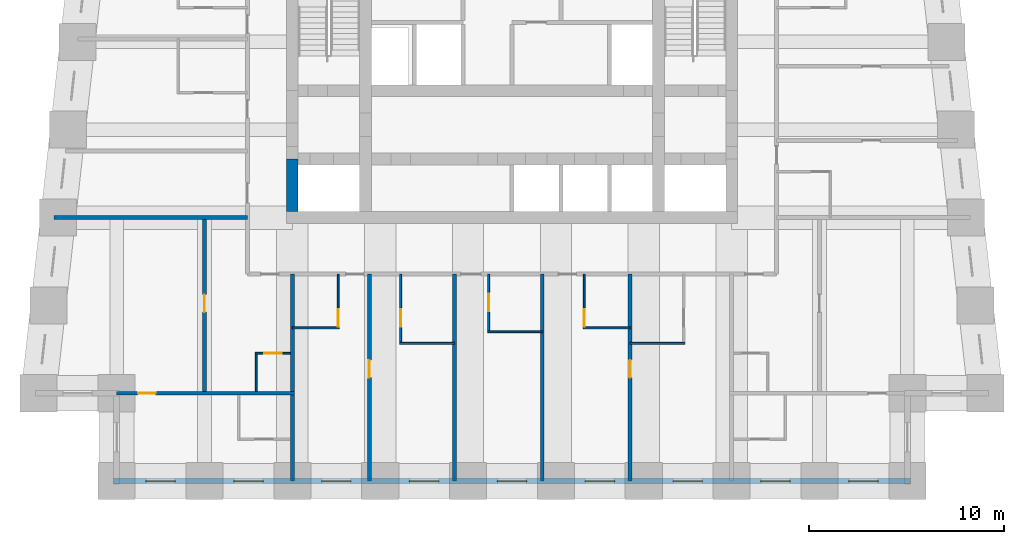
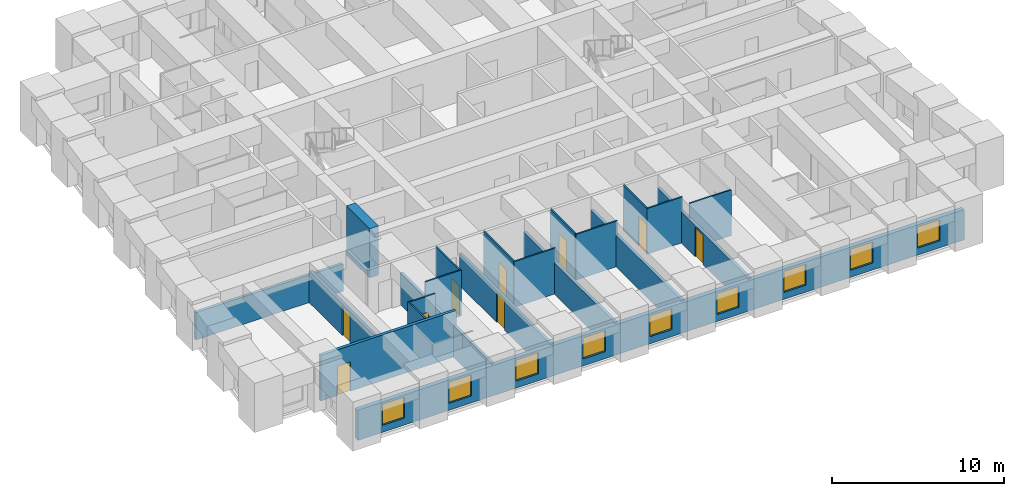
# One storey, part 2 of 8: 21 walls, 9 doors, 9 windows, 18 openings.
"""IFC4 building model written with IfcOpenShell, lengths in metres."""

from ifc_helpers import new_model, si_unit, direction, frame, frame_2d, origin, place, context, subcontext, project, spatial, rectangle, extrude, material, layer, layer_set, type_object, element, fill, save


model = new_model("IFC4")

# Units and contexts
model_context = context("Model", 3, precision=1e-05, world=origin(), true_north=direction((0.0, 1.0)))
body_context = subcontext(model_context, "Body", "Model", "MODEL_VIEW")
ifc_project = project(units=[si_unit("LENGTHUNIT", "METRE"), si_unit("AREAUNIT", "SQUARE_METRE"), si_unit("VOLUMEUNIT", "CUBIC_METRE"), si_unit("PLANEANGLEUNIT", "RADIAN"), si_unit("MASSUNIT", "GRAM", prefix="KILO")], contexts=[model_context])

# Site, building, storey
site_placement = place(None, origin())
site = spatial("IfcSite", under=ifc_project, at=site_placement, CompositionType="ELEMENT")
building_placement = place(site_placement, origin())
building = spatial("IfcBuilding", under=site, at=building_placement, Name="Kilele Tower Hotel", CompositionType="ELEMENT")
storey_placement = place(building_placement, frame((0.0, 0.0, 131.89990234375)))
storey = spatial("IfcBuildingStorey", under=building, at=storey_placement, Name="L34", CompositionType="ELEMENT", Elevation=131.89990234375)

# Wall
ifc_material_1 = material(Name="Moisture-resistant board")
ifc_layer_1 = layer(ifc_material_1, 0.10009765625)
ifc_layer_set_1 = layer_set([ifc_layer_1], Name="Moisture-resistant board")
wall_type_1 = type_object("IfcWallType", Name="Bathroom partition 100", PredefinedType="PLUMBINGWALL", material=ifc_layer_set_1)
wall_1_placement = place(storey_placement, frame((13.5, 7.85009765625, 0.0), z_axis=(0.0, 0.0, 1.0), x_axis=(1.0, 0.0, 0.0)))
element("IfcWall", 1, at=wall_1_placement, inside=storey, type_object=wall_type_1, Name="Bathroom partition 100 L34", PredefinedType="PLUMBINGWALL", context=body_context, shape_type="SweptSolid", body=[
    extrude(rectangle(XDim=2.39990234375, YDim=0.10009765625, at=frame_2d((1.199951171875, 0.0))), origin(), (0.0, 0.0, 1.0), 3.25),
])

# Wall, opening, door
wall_2_placement = place(storey_placement, frame((15.85009765625, 10.60009765625, 0.0), z_axis=(0.0, 0.0, 1.0), x_axis=(0.0, -1.0, 0.0)))
wall_2 = element("IfcWall", 2, at=wall_2_placement, inside=storey, type_object=wall_type_1, Name="Bathroom partition 100 L34", PredefinedType="PLUMBINGWALL", context=body_context, shape_type="SweptSolid", body=[
    extrude(rectangle(XDim=2.800048828125, YDim=0.10009765625, at=frame_2d((1.39990234375, 0.0))), origin(), (0.0, 0.0, 1.0), 3.25),
])
opening_1_placement = place(wall_2_placement, frame((1.800048828125, 0.0, 0.0)))
opening_1 = element("IfcOpeningElement", 3, at=opening_1_placement, cuts=wall_2, Name="Opening D2A", PredefinedType="OPENING", context=body_context, shape_type="SweptSolid", body=[
    extrude(rectangle(XDim=0.89990234375, YDim=2.10009765625, at=frame_2d((0.449951171875, 1.050048828125))), frame((0.0, 0.06005859375, 0.0), z_axis=(0.0, -1.0, 0.0), x_axis=(1.0, 0.0, 0.0)), (0.0, 0.0, 1.0), 0.1201171875),
])
ifc_material_2 = material(Name="Timber door leaf in hardwood frame", Category="wood")
door_type_1 = type_object("IfcDoorType", Name="Bathroom door 900", OperationType="SINGLE_SWING_LEFT", PredefinedType="DOOR", material=ifc_material_2)
door_1_placement = place(opening_1_placement, origin())
door_1 = element("IfcDoor", 4, at=door_1_placement, inside=storey, type_object=door_type_1, Name="Bathroom door 3401B", OperationType="SINGLE_SWING_RIGHT", OverallHeight=2.10009765625, OverallWidth=0.89990234375, PredefinedType="DOOR", context=body_context, shape_type="SweptSolid", body=[
    extrude(rectangle(XDim=0.89990234375, YDim=2.10009765625, at=frame_2d((0.449951171875, 1.050048828125))), frame((0.0, 0.02490234375, 0.0), z_axis=(0.0, -1.0, 0.0), x_axis=(1.0, 0.0, 0.0)), (0.0, 0.0, 1.0), 0.050048828125),
])
fill(opening_1, door_1)

# Wall
wall_3_placement = place(storey_placement, frame((19.0, 7.050048828125, 0.0), z_axis=(0.0, 0.0, 1.0), x_axis=(1.0, 0.0, 0.0)))
element("IfcWall", 5, at=wall_3_placement, inside=storey, type_object=wall_type_1, Name="Bathroom partition 100 L34", PredefinedType="PLUMBINGWALL", context=body_context, shape_type="SweptSolid", body=[
    extrude(rectangle(XDim=2.800048828125, YDim=0.10009765625, at=frame_2d((1.39990234375, 0.0))), origin(), (0.0, 0.0, 1.0), 3.25),
])

# Wall, opening, door
wall_4_placement = place(storey_placement, frame((19.050048828125, 10.60009765625, 0.0), z_axis=(0.0, 0.0, 1.0), x_axis=(0.0, -1.0, 0.0)))
wall_4 = element("IfcWall", 6, at=wall_4_placement, inside=storey, type_object=wall_type_1, Name="Bathroom partition 100 L34", PredefinedType="PLUMBINGWALL", context=body_context, shape_type="SweptSolid", body=[
    extrude(rectangle(XDim=3.60009765625, YDim=0.10009765625, at=frame_2d((1.800048828125, 0.0))), origin(), (0.0, 0.0, 1.0), 3.25),
])
opening_2_placement = place(wall_4_placement, frame((2.699951171875, 0.0, 0.0), z_axis=(0.0, 0.0, 1.0), x_axis=(-1.0, 0.0, 0.0)))
opening_2 = element("IfcOpeningElement", 7, at=opening_2_placement, cuts=wall_4, Name="Opening D2A", PredefinedType="OPENING", context=body_context, shape_type="SweptSolid", body=[
    extrude(rectangle(XDim=0.89990234375, YDim=2.10009765625, at=frame_2d((0.449951171875, 1.050048828125))), frame((0.0, 0.06005859375, 0.0), z_axis=(0.0, -1.0, 0.0), x_axis=(1.0, 0.0, 0.0)), (0.0, 0.0, 1.0), 0.1201171875),
])
door_2_placement = place(opening_2_placement, origin())
door_2 = element("IfcDoor", 8, at=door_2_placement, inside=storey, type_object=door_type_1, Name="Bathroom door 3402B", OperationType="SINGLE_SWING_LEFT", OverallHeight=2.10009765625, OverallWidth=0.89990234375, PredefinedType="DOOR", context=body_context, shape_type="SweptSolid", body=[
    extrude(rectangle(XDim=0.89990234375, YDim=2.10009765625, at=frame_2d((0.449951171875, 1.050048828125))), frame((0.0, 0.02490234375, 0.0), z_axis=(0.0, -1.0, 0.0), x_axis=(1.0, 0.0, 0.0)), (0.0, 0.0, 1.0), 0.050048828125),
])
fill(opening_2, door_2)

# Wall
wall_5_placement = place(storey_placement, frame((23.5, 7.64990234375, 0.0), z_axis=(0.0, 0.0, 1.0), x_axis=(1.0, 0.0, 0.0)))
element("IfcWall", 9, at=wall_5_placement, inside=storey, type_object=wall_type_1, Name="Bathroom partition 100 L34", PredefinedType="PLUMBINGWALL", context=body_context, shape_type="SweptSolid", body=[
    extrude(rectangle(XDim=2.800048828125, YDim=0.10009765625, at=frame_2d((1.39990234375, 0.0))), origin(), (0.0, 0.0, 1.0), 3.25),
])

# Wall, opening, door
wall_6_placement = place(storey_placement, frame((23.550048828125, 10.60009765625, 0.0), z_axis=(0.0, 0.0, 1.0), x_axis=(0.0, -1.0, 0.0)))
wall_6 = element("IfcWall", 10, at=wall_6_placement, inside=storey, type_object=wall_type_1, Name="Bathroom partition 100 L34", PredefinedType="PLUMBINGWALL", context=body_context, shape_type="SweptSolid", body=[
    extrude(rectangle(XDim=3.0, YDim=0.10009765625, at=frame_2d((1.5, 0.0))), origin(), (0.0, 0.0, 1.0), 3.25),
])
opening_3_placement = place(wall_6_placement, frame((1.89990234375, 0.0, 0.0), z_axis=(0.0, 0.0, 1.0), x_axis=(-1.0, 0.0, 0.0)))
opening_3 = element("IfcOpeningElement", 11, at=opening_3_placement, cuts=wall_6, Name="Opening D2A", PredefinedType="OPENING", context=body_context, shape_type="SweptSolid", body=[
    extrude(rectangle(XDim=0.89990234375, YDim=2.10009765625, at=frame_2d((0.449951171875, 1.050048828125))), frame((0.0, 0.06005859375, 0.0), z_axis=(0.0, -1.0, 0.0), x_axis=(1.0, 0.0, 0.0)), (0.0, 0.0, 1.0), 0.1201171875),
])
door_3_placement = place(opening_3_placement, origin())
door_3 = element("IfcDoor", 12, at=door_3_placement, inside=storey, type_object=door_type_1, Name="Bathroom door 3403B", OperationType="SINGLE_SWING_RIGHT", OverallHeight=2.10009765625, OverallWidth=0.89990234375, PredefinedType="DOOR", context=body_context, shape_type="SweptSolid", body=[
    extrude(rectangle(XDim=0.89990234375, YDim=2.10009765625, at=frame_2d((0.449951171875, 1.050048828125))), frame((0.0, 0.02490234375, 0.0), z_axis=(0.0, -1.0, 0.0), x_axis=(1.0, 0.0, 0.0)), (0.0, 0.0, 1.0), 0.050048828125),
])
fill(opening_3, door_3)

# Wall
wall_7_placement = place(storey_placement, frame((28.39990234375, 7.85009765625, 0.0), z_axis=(0.0, 0.0, 1.0), x_axis=(1.0, 0.0, 0.0)))
element("IfcWall", 13, at=wall_7_placement, inside=storey, type_object=wall_type_1, Name="Bathroom partition 100 L34", PredefinedType="PLUMBINGWALL", context=body_context, shape_type="SweptSolid", body=[
    extrude(rectangle(XDim=2.400146484375, YDim=0.10009765625, at=frame_2d((1.2001953125, 0.0))), origin(), (0.0, 0.0, 1.0), 3.25),
])

# Wall, opening, door
wall_8_placement = place(storey_placement, frame((28.449951171875, 10.60009765625, 0.0), z_axis=(0.0, 0.0, 1.0), x_axis=(0.0, -1.0, 0.0)))
wall_8 = element("IfcWall", 14, at=wall_8_placement, inside=storey, type_object=wall_type_1, Name="Bathroom partition 100 L34", PredefinedType="PLUMBINGWALL", context=body_context, shape_type="SweptSolid", body=[
    extrude(rectangle(XDim=2.800048828125, YDim=0.10009765625, at=frame_2d((1.39990234375, 0.0))), origin(), (0.0, 0.0, 1.0), 3.25),
])
opening_4_placement = place(wall_8_placement, frame((2.699951171875, 0.0, 0.0), z_axis=(0.0, 0.0, 1.0), x_axis=(-1.0, 0.0, 0.0)))
opening_4 = element("IfcOpeningElement", 15, at=opening_4_placement, cuts=wall_8, Name="Opening D2A", PredefinedType="OPENING", context=body_context, shape_type="SweptSolid", body=[
    extrude(rectangle(XDim=0.89990234375, YDim=2.10009765625, at=frame_2d((0.449951171875, 1.050048828125))), frame((0.0, 0.06005859375, 0.0), z_axis=(0.0, -1.0, 0.0), x_axis=(1.0, 0.0, 0.0)), (0.0, 0.0, 1.0), 0.1201171875),
])
door_4_placement = place(opening_4_placement, origin())
door_4 = element("IfcDoor", 16, at=door_4_placement, inside=storey, type_object=door_type_1, Name="Bathroom door 3404B", OperationType="SINGLE_SWING_LEFT", OverallHeight=2.10009765625, OverallWidth=0.89990234375, PredefinedType="DOOR", context=body_context, shape_type="SweptSolid", body=[
    extrude(rectangle(XDim=0.89990234375, YDim=2.10009765625, at=frame_2d((0.449951171875, 1.050048828125))), frame((0.0, 0.02490234375, 0.0), z_axis=(0.0, -1.0, 0.0), x_axis=(1.0, 0.0, 0.0)), (0.0, 0.0, 1.0), 0.050048828125),
])
fill(opening_4, door_4)

# Walls
wall_9_placement = place(storey_placement, frame((30.800048828125, 7.050048828125, 0.0), z_axis=(0.0, 0.0, 1.0), x_axis=(1.0, 0.0, 0.0)))
element("IfcWall", 17, at=wall_9_placement, inside=storey, type_object=wall_type_1, Name="Bathroom partition 100 L34", PredefinedType="PLUMBINGWALL", context=body_context, shape_type="SweptSolid", body=[
    extrude(rectangle(XDim=2.800048828125, YDim=0.10009765625, at=frame_2d((1.39990234375, 0.0))), origin(), (0.0, 0.0, 1.0), 3.25),
])
wall_10_placement = place(storey_placement, frame((11.64990234375, 4.60009765625, 0.0), z_axis=(0.0, 0.0, 1.0), x_axis=(0.0, 1.0, 0.0)))
element("IfcWall", 18, at=wall_10_placement, inside=storey, type_object=wall_type_1, Name="Bathroom partition 100 L34", PredefinedType="PLUMBINGWALL", context=body_context, shape_type="SweptSolid", body=[
    extrude(rectangle(XDim=2.0, YDim=0.10009765625, at=frame_2d((1.0, 0.0))), origin(), (0.0, 0.0, 1.0), 3.25),
])

# Wall, opening, door
wall_11_placement = place(storey_placement, frame((13.39990234375, 6.550048828125, 0.0), z_axis=(0.0, 0.0, 1.0), x_axis=(-1.0, 0.0, 0.0)))
wall_11 = element("IfcWall", 19, at=wall_11_placement, inside=storey, type_object=wall_type_1, Name="Bathroom partition 100 L34", PredefinedType="PLUMBINGWALL", context=body_context, shape_type="SweptSolid", body=[
    extrude(rectangle(XDim=1.7998046875, YDim=0.10009765625, at=frame_2d((0.89990234375, 0.0))), origin(), (0.0, 0.0, 1.0), 3.25),
])
opening_5_placement = place(wall_11_placement, frame((1.349853515625, 0.0, 0.0), z_axis=(0.0, 0.0, 1.0), x_axis=(-1.0, 0.0, 0.0)))
opening_5 = element("IfcOpeningElement", 20, at=opening_5_placement, cuts=wall_11, Name="Opening D2A", PredefinedType="OPENING", context=body_context, shape_type="SweptSolid", body=[
    extrude(rectangle(XDim=0.89990234375, YDim=2.10009765625, at=frame_2d((0.449951171875, 1.050048828125))), frame((0.0, 0.06005859375, 0.0), z_axis=(0.0, -1.0, 0.0), x_axis=(1.0, 0.0, 0.0)), (0.0, 0.0, 1.0), 0.1201171875),
])
door_5_placement = place(opening_5_placement, origin())
door_5 = element("IfcDoor", 21, at=door_5_placement, inside=storey, type_object=door_type_1, Name="Bathroom door 3417P", OperationType="SINGLE_SWING_RIGHT", OverallHeight=2.10009765625, OverallWidth=0.89990234375, PredefinedType="DOOR", context=body_context, shape_type="SweptSolid", body=[
    extrude(rectangle(XDim=0.89990234375, YDim=2.10009765625, at=frame_2d((0.449951171875, 1.050048828125))), frame((0.0, 0.02490234375, 0.0), z_axis=(0.0, -1.0, 0.0), x_axis=(1.0, 0.0, 0.0)), (0.0, 0.0, 1.0), 0.050048828125),
])
fill(opening_5, door_5)

# Wall
ifc_material_3 = material(Name="Concrete C60/75", Category="concrete")
ifc_layer_2 = layer(ifc_material_3, 0.60009765625)
ifc_layer_set_2 = layer_set([ifc_layer_2], Name="Concrete C60/75")
wall_type_2 = type_object("IfcWallType", Name="Core wall 600 C60/75", PredefinedType="SHEAR", material=ifc_layer_set_2)
wall_12_placement = place(storey_placement, frame((13.5, 16.5, 0.0), z_axis=(0.0, 0.0, 1.0), x_axis=(0.0, -1.0, 0.0)))
element("IfcWall", 22, at=wall_12_placement, inside=storey, type_object=wall_type_2, Name="Core wall W3 L34", PredefinedType="SHEAR", context=body_context, shape_type="SweptSolid", body=[
    extrude(rectangle(XDim=2.699951171875, YDim=0.60009765625, at=frame_2d((1.35009765625, 0.0))), origin(), (0.0, 0.0, 1.0), 3.5),
])

# Wall, opening, door
ifc_material_4 = material(Name="Blockwork, plastered both sides", Category="masonry")
ifc_layer_3 = layer(ifc_material_4, 0.199951171875)
ifc_layer_set_3 = layer_set([ifc_layer_3], Name="Blockwork, plastered both sides")
wall_type_3 = type_object("IfcWallType", Name="Partition wall 200", PredefinedType="PARTITIONING", material=ifc_layer_set_3)
wall_13_placement = place(storey_placement, frame((9.0, 4.60009765625, 0.0), z_axis=(0.0, 0.0, 1.0), x_axis=(0.0, 1.0, 0.0)))
wall_13 = element("IfcWall", 23, at=wall_13_placement, inside=storey, type_object=wall_type_3, Name="Partition wall 200 L34", PredefinedType="PARTITIONING", context=body_context, shape_type="SweptSolid", body=[
    extrude(rectangle(XDim=8.7998046875, YDim=0.199951171875, at=frame_2d((4.39990234375, 0.0))), origin(), (0.0, 0.0, 1.0), 2.25),
])
opening_6_placement = place(wall_13_placement, frame((4.050048828125, 0.0, 0.0)))
opening_6 = element("IfcOpeningElement", 24, at=opening_6_placement, cuts=wall_13, Name="Opening D3", PredefinedType="OPENING", context=body_context, shape_type="SweptSolid", body=[
    extrude(rectangle(XDim=0.89990234375, YDim=2.10009765625, at=frame_2d((0.449951171875, 1.050048828125))), frame((0.0, 0.10986328125, 0.0), z_axis=(0.0, -1.0, 0.0), x_axis=(1.0, 0.0, 0.0)), (0.0, 0.0, 1.0), 0.219970703125),
])
ifc_material_5 = material(Name="Timber door leaf in hardwood frame", Category="wood")
door_type_2 = type_object("IfcDoorType", Name="Suite internal door 900", OperationType="SINGLE_SWING_LEFT", PredefinedType="DOOR", material=ifc_material_5)
door_6_placement = place(opening_6_placement, origin())
door_6 = element("IfcDoor", 25, at=door_6_placement, inside=storey, type_object=door_type_2, Name="Suite door 3418", OperationType="SINGLE_SWING_RIGHT", OverallHeight=2.10009765625, OverallWidth=0.89990234375, PredefinedType="DOOR", context=body_context, shape_type="SweptSolid", body=[
    extrude(rectangle(XDim=0.89990234375, YDim=2.10009765625, at=frame_2d((0.449951171875, 1.050048828125))), frame((0.0, 0.02490234375, 0.0), z_axis=(0.0, -1.0, 0.0), x_axis=(1.0, 0.0, 0.0)), (0.0, 0.0, 1.0), 0.050048828125),
])
fill(opening_6, door_6)

ifc_material_6 = material(Name="Blockwork, plastered both sides", Category="masonry")
ifc_layer_4 = layer(ifc_material_6, 0.199951171875)
ifc_layer_set_4 = layer_set([ifc_layer_4], Name="Blockwork, plastered both sides")
wall_type_4 = type_object("IfcWallType", Name="Party wall 200", PredefinedType="PARTITIONING", material=ifc_layer_set_4)
wall_14_placement = place(storey_placement, frame((17.449951171875, 10.60009765625, 0.0), z_axis=(0.0, 0.0, 1.0), x_axis=(0.0, -1.0, 0.0)))
wall_14 = element("IfcWall", 26, at=wall_14_placement, inside=storey, type_object=wall_type_4, Name="Party wall 200 L34", PredefinedType="PARTITIONING", context=body_context, shape_type="SweptSolid", body=[
    extrude(rectangle(XDim=10.60009765625, YDim=0.199951171875, at=frame_2d((5.300048828125, 0.0))), origin(), (0.0, 0.0, 1.0), 2.25),
])
opening_7_placement = place(wall_14_placement, frame((4.39990234375, 0.0, 0.0)))
opening_7 = element("IfcOpeningElement", 27, at=opening_7_placement, cuts=wall_14, Name="Opening D3", PredefinedType="OPENING", context=body_context, shape_type="SweptSolid", body=[
    extrude(rectangle(XDim=0.89990234375, YDim=2.10009765625, at=frame_2d((0.449951171875, 1.050048828125))), frame((0.0, 0.10986328125, 0.0), z_axis=(0.0, -1.0, 0.0), x_axis=(1.0, 0.0, 0.0)), (0.0, 0.0, 1.0), 0.219970703125),
])
door_7_placement = place(opening_7_placement, origin())
door_7 = element("IfcDoor", 28, at=door_7_placement, inside=storey, type_object=door_type_2, Name="Suite door 3402", OperationType="SINGLE_SWING_LEFT", OverallHeight=2.10009765625, OverallWidth=0.89990234375, PredefinedType="DOOR", context=body_context, shape_type="SweptSolid", body=[
    extrude(rectangle(XDim=0.89990234375, YDim=2.10009765625, at=frame_2d((0.449951171875, 1.050048828125))), frame((0.0, 0.02490234375, 0.0), z_axis=(0.0, -1.0, 0.0), x_axis=(1.0, 0.0, 0.0)), (0.0, 0.0, 1.0), 0.050048828125),
])
fill(opening_7, door_7)

# Walls
for number, where, z_axis, x_axis, name in (
    (29, (21.800048828125, 10.60009765625, 0.0), (0.0, 0.0, 1.0), (0.0, -1.0, 0.0), "Party wall 200 L34"),
    (30, (26.300048828125, 10.60009765625, 0.0), (0.0, 0.0, 1.0), (0.0, -1.0, 0.0), "Party wall 200 L34"),
):
    element("IfcWall", number, at=place(storey_placement, frame(where, z_axis=z_axis, x_axis=x_axis)), inside=storey, type_object=wall_type_4, Name=name, PredefinedType="PARTITIONING", context=body_context, shape_type="SweptSolid", body=[
        extrude(rectangle(XDim=10.60009765625, YDim=0.199951171875, at=frame_2d((5.300048828125, 0.0))), origin(), (0.0, 0.0, 1.0), 2.25),
    ])

# Wall, opening, door
wall_15_placement = place(storey_placement, frame((30.800048828125, 10.60009765625, 0.0), z_axis=(0.0, 0.0, 1.0), x_axis=(0.0, -1.0, 0.0)))
wall_15 = element("IfcWall", 31, at=wall_15_placement, inside=storey, type_object=wall_type_4, Name="Party wall 200 L34", PredefinedType="PARTITIONING", context=body_context, shape_type="SweptSolid", body=[
    extrude(rectangle(XDim=10.60009765625, YDim=0.199951171875, at=frame_2d((5.300048828125, 0.0))), origin(), (0.0, 0.0, 1.0), 2.25),
])
opening_8_placement = place(wall_15_placement, frame((4.39990234375, 0.0, 0.0)))
opening_8 = element("IfcOpeningElement", 32, at=opening_8_placement, cuts=wall_15, Name="Opening D3", PredefinedType="OPENING", context=body_context, shape_type="SweptSolid", body=[
    extrude(rectangle(XDim=0.89990234375, YDim=2.10009765625, at=frame_2d((0.449951171875, 1.050048828125))), frame((0.0, 0.10986328125, 0.0), z_axis=(0.0, -1.0, 0.0), x_axis=(1.0, 0.0, 0.0)), (0.0, 0.0, 1.0), 0.219970703125),
])
door_8_placement = place(opening_8_placement, origin())
door_8 = element("IfcDoor", 33, at=door_8_placement, inside=storey, type_object=door_type_2, Name="Suite door 3405", OperationType="SINGLE_SWING_LEFT", OverallHeight=2.10009765625, OverallWidth=0.89990234375, PredefinedType="DOOR", context=body_context, shape_type="SweptSolid", body=[
    extrude(rectangle(XDim=0.89990234375, YDim=2.10009765625, at=frame_2d((0.449951171875, 1.050048828125))), frame((0.0, 0.02490234375, 0.0), z_axis=(0.0, -1.0, 0.0), x_axis=(1.0, 0.0, 0.0)), (0.0, 0.0, 1.0), 0.050048828125),
])
fill(opening_8, door_8)

# Walls
wall_16_placement = place(storey_placement, frame((11.199951171875, 13.5, 0.0), z_axis=(0.0, 0.0, 1.0), x_axis=(-1.0, 0.0, 0.0)))
element("IfcWall", 34, at=wall_16_placement, inside=storey, type_object=wall_type_4, Name="Party wall 200 L34", PredefinedType="PARTITIONING", context=body_context, shape_type="SweptSolid", body=[
    extrude(rectangle(XDim=9.921142578125, YDim=0.199951171875, at=frame_2d((4.96044921875, 0.0))), origin(), (0.0, 0.0, 1.0), 1.9501953125),
])
wall_17_placement = place(storey_placement, frame((13.5, 10.60009765625, 0.0), z_axis=(0.0, 0.0, 1.0), x_axis=(0.0, -1.0, 0.0)))
element("IfcWall", 35, at=wall_17_placement, inside=storey, type_object=wall_type_4, Name="Party wall 200 L34", PredefinedType="PARTITIONING", context=body_context, shape_type="SweptSolid", body=[
    extrude(rectangle(XDim=10.60009765625, YDim=0.199951171875, at=frame_2d((5.300048828125, 0.0))), origin(), (0.0, 0.0, 1.0), 2.25),
])

# Wall, opening, door
wall_18_placement = place(storey_placement, frame((13.60009765625, 4.5, 0.0), z_axis=(0.0, 0.0, 1.0), x_axis=(-1.0, 0.0, 0.0)))
wall_18 = element("IfcWall", 36, at=wall_18_placement, inside=storey, type_object=wall_type_4, Name="Party wall 200 L34", PredefinedType="PARTITIONING", context=body_context, shape_type="SweptSolid", body=[
    extrude(rectangle(XDim=9.10009765625, YDim=0.199951171875, at=frame_2d((4.550048828125, 0.0))), origin(), (0.0, 0.0, 1.0), 3.25),
])
opening_9_placement = place(wall_18_placement, frame((7.10009765625, 0.0, 0.0)))
opening_9 = element("IfcOpeningElement", 37, at=opening_9_placement, cuts=wall_18, Name="Opening D3", PredefinedType="OPENING", context=body_context, shape_type="SweptSolid", body=[
    extrude(rectangle(XDim=0.89990234375, YDim=2.10009765625, at=frame_2d((0.449951171875, 1.050048828125))), frame((0.0, 0.10986328125, 0.0), z_axis=(0.0, -1.0, 0.0), x_axis=(1.0, 0.0, 0.0)), (0.0, 0.0, 1.0), 0.219970703125),
])
door_9_placement = place(opening_9_placement, origin())
door_9 = element("IfcDoor", 38, at=door_9_placement, inside=storey, type_object=door_type_2, Name="Suite door 3419", OperationType="SINGLE_SWING_RIGHT", OverallHeight=2.10009765625, OverallWidth=0.89990234375, PredefinedType="DOOR", context=body_context, shape_type="SweptSolid", body=[
    extrude(rectangle(XDim=0.89990234375, YDim=2.10009765625, at=frame_2d((0.449951171875, 1.050048828125))), frame((0.0, 0.02490234375, 0.0), z_axis=(0.0, -1.0, 0.0), x_axis=(1.0, 0.0, 0.0)), (0.0, 0.0, 1.0), 0.050048828125),
])
fill(opening_9, door_9)

# Wall, openings, windows
ifc_material_7 = material(Name="Concrete C40/50 precast", Category="concrete")
ifc_layer_5 = layer(ifc_material_7, 0.260009765625, Name="Precast backing", Category="LoadBearing")
ifc_material_8 = material(Name="Reconstituted stone finish", Category="masonry")
ifc_layer_6 = layer(ifc_material_8, 0.0400390625, Name="Face mix", Category="Finish")
ifc_layer_set_5 = layer_set([ifc_layer_5, ifc_layer_6], Name="Precast concrete C40/50, reconstituted stone finish")
wall_type_5 = type_object("IfcWallType", Name="Precast stone facade wall 300", PredefinedType="STANDARD", material=ifc_layer_set_5)
wall_19_placement = place(storey_placement, frame((4.35009765625, 0.0, 0.0), z_axis=(0.0, 0.0, 1.0), x_axis=(1.0, 0.0, 0.0)))
wall_19 = element("IfcWall", 39, at=wall_19_placement, inside=storey, type_object=wall_type_5, Name="Facade wall L34 edge 3", PredefinedType="STANDARD", context=body_context, shape_type="SweptSolid", body=[
    extrude(rectangle(XDim=40.7998046875, YDim=0.300048828125, at=frame_2d((20.39990234375, 0.0))), origin(), (0.0, 0.0, 1.0), 2.150146484375),
])
opening_10_placement = place(wall_19_placement, frame((1.64990234375, 0.0, 0.5)))
opening_10 = element("IfcOpeningElement", 40, at=opening_10_placement, cuts=wall_19, Name="Opening W2", PredefinedType="OPENING", context=body_context, shape_type="SweptSolid", body=[
    extrude(rectangle(XDim=1.5, YDim=1.5, at=frame_2d((0.75, 0.75))), frame((0.0, 0.159912109375, 0.0), z_axis=(0.0, -1.0, 0.0), x_axis=(1.0, 0.0, 0.0)), (0.0, 0.0, 1.0), 0.320068359375),
])
opening_11_placement = place(wall_19_placement, frame((6.14990234375, 0.0, 0.5)))
opening_11 = element("IfcOpeningElement", 41, at=opening_11_placement, cuts=wall_19, Name="Opening W2", PredefinedType="OPENING", context=body_context, shape_type="SweptSolid", body=[
    extrude(rectangle(XDim=1.5, YDim=1.5, at=frame_2d((0.75, 0.75))), frame((0.0, 0.159912109375, 0.0), z_axis=(0.0, -1.0, 0.0), x_axis=(1.0, 0.0, 0.0)), (0.0, 0.0, 1.0), 0.320068359375),
])
opening_12_placement = place(wall_19_placement, frame((10.64990234375, 0.0, 0.5)))
opening_12 = element("IfcOpeningElement", 42, at=opening_12_placement, cuts=wall_19, Name="Opening W2", PredefinedType="OPENING", context=body_context, shape_type="SweptSolid", body=[
    extrude(rectangle(XDim=1.5, YDim=1.5, at=frame_2d((0.75, 0.75))), frame((0.0, 0.159912109375, 0.0), z_axis=(0.0, -1.0, 0.0), x_axis=(1.0, 0.0, 0.0)), (0.0, 0.0, 1.0), 0.320068359375),
])
opening_13_placement = place(wall_19_placement, frame((15.14990234375, 0.0, 0.5)))
opening_13 = element("IfcOpeningElement", 43, at=opening_13_placement, cuts=wall_19, Name="Opening W2", PredefinedType="OPENING", context=body_context, shape_type="SweptSolid", body=[
    extrude(rectangle(XDim=1.5, YDim=1.5, at=frame_2d((0.75, 0.75))), frame((0.0, 0.159912109375, 0.0), z_axis=(0.0, -1.0, 0.0), x_axis=(1.0, 0.0, 0.0)), (0.0, 0.0, 1.0), 0.320068359375),
])
opening_14_placement = place(wall_19_placement, frame((19.64990234375, 0.0, 0.5)))
opening_14 = element("IfcOpeningElement", 44, at=opening_14_placement, cuts=wall_19, Name="Opening W2", PredefinedType="OPENING", context=body_context, shape_type="SweptSolid", body=[
    extrude(rectangle(XDim=1.5, YDim=1.5, at=frame_2d((0.75, 0.75))), frame((0.0, 0.159912109375, 0.0), z_axis=(0.0, -1.0, 0.0), x_axis=(1.0, 0.0, 0.0)), (0.0, 0.0, 1.0), 0.320068359375),
])
opening_15_placement = place(wall_19_placement, frame((24.14990234375, 0.0, 0.5)))
opening_15 = element("IfcOpeningElement", 45, at=opening_15_placement, cuts=wall_19, Name="Opening W2", PredefinedType="OPENING", context=body_context, shape_type="SweptSolid", body=[
    extrude(rectangle(XDim=1.5, YDim=1.5, at=frame_2d((0.75, 0.75))), frame((0.0, 0.159912109375, 0.0), z_axis=(0.0, -1.0, 0.0), x_axis=(1.0, 0.0, 0.0)), (0.0, 0.0, 1.0), 0.320068359375),
])
opening_16_placement = place(wall_19_placement, frame((28.64990234375, 0.0, 0.5)))
opening_16 = element("IfcOpeningElement", 46, at=opening_16_placement, cuts=wall_19, Name="Opening W2", PredefinedType="OPENING", context=body_context, shape_type="SweptSolid", body=[
    extrude(rectangle(XDim=1.5, YDim=1.5, at=frame_2d((0.75, 0.75))), frame((0.0, 0.159912109375, 0.0), z_axis=(0.0, -1.0, 0.0), x_axis=(1.0, 0.0, 0.0)), (0.0, 0.0, 1.0), 0.320068359375),
])
opening_17_placement = place(wall_19_placement, frame((33.14990234375, 0.0, 0.5)))
opening_17 = element("IfcOpeningElement", 47, at=opening_17_placement, cuts=wall_19, Name="Opening W2", PredefinedType="OPENING", context=body_context, shape_type="SweptSolid", body=[
    extrude(rectangle(XDim=1.5, YDim=1.5, at=frame_2d((0.75, 0.75))), frame((0.0, 0.159912109375, 0.0), z_axis=(0.0, -1.0, 0.0), x_axis=(1.0, 0.0, 0.0)), (0.0, 0.0, 1.0), 0.320068359375),
])
opening_18_placement = place(wall_19_placement, frame((37.64990234375, 0.0, 0.5)))
opening_18 = element("IfcOpeningElement", 48, at=opening_18_placement, cuts=wall_19, Name="Opening W2", PredefinedType="OPENING", context=body_context, shape_type="SweptSolid", body=[
    extrude(rectangle(XDim=1.5, YDim=1.5, at=frame_2d((0.75, 0.75))), frame((0.0, 0.159912109375, 0.0), z_axis=(0.0, -1.0, 0.0), x_axis=(1.0, 0.0, 0.0)), (0.0, 0.0, 1.0), 0.320068359375),
])
ifc_material_9 = material(Name="Aluminium frame, clear double glazing", Category="aluminium")
window_type = type_object("IfcWindowType", Name="Window W2 1500 x 1500", PartitioningType="SINGLE_PANEL", PredefinedType="WINDOW", material=ifc_material_9)
window_1_placement = place(opening_10_placement, origin())
window_1 = element("IfcWindow", 49, at=window_1_placement, inside=storey, type_object=window_type, Name="Window L34", OverallHeight=1.5, OverallWidth=1.5, PartitioningType="SINGLE_PANEL", PredefinedType="WINDOW", context=body_context, shape_type="SweptSolid", body=[
    extrude(rectangle(XDim=1.5, YDim=1.5, at=frame_2d((0.75, 0.75))), frame((0.0, 0.030029296875, 0.0), z_axis=(0.0, -1.0, 0.0), x_axis=(1.0, 0.0, 0.0)), (0.0, 0.0, 1.0), 0.06005859375),
])
fill(opening_10, window_1)
window_2_placement = place(opening_11_placement, origin())
window_2 = element("IfcWindow", 50, at=window_2_placement, inside=storey, type_object=window_type, Name="Window L34", OverallHeight=1.5, OverallWidth=1.5, PartitioningType="SINGLE_PANEL", PredefinedType="WINDOW", context=body_context, shape_type="SweptSolid", body=[
    extrude(rectangle(XDim=1.5, YDim=1.5, at=frame_2d((0.75, 0.75))), frame((0.0, 0.030029296875, 0.0), z_axis=(0.0, -1.0, 0.0), x_axis=(1.0, 0.0, 0.0)), (0.0, 0.0, 1.0), 0.06005859375),
])
fill(opening_11, window_2)
window_3_placement = place(opening_12_placement, origin())
window_3 = element("IfcWindow", 51, at=window_3_placement, inside=storey, type_object=window_type, Name="Window L34", OverallHeight=1.5, OverallWidth=1.5, PartitioningType="SINGLE_PANEL", PredefinedType="WINDOW", context=body_context, shape_type="SweptSolid", body=[
    extrude(rectangle(XDim=1.5, YDim=1.5, at=frame_2d((0.75, 0.75))), frame((0.0, 0.030029296875, 0.0), z_axis=(0.0, -1.0, 0.0), x_axis=(1.0, 0.0, 0.0)), (0.0, 0.0, 1.0), 0.06005859375),
])
fill(opening_12, window_3)
window_4_placement = place(opening_13_placement, origin())
window_4 = element("IfcWindow", 52, at=window_4_placement, inside=storey, type_object=window_type, Name="Window L34", OverallHeight=1.5, OverallWidth=1.5, PartitioningType="SINGLE_PANEL", PredefinedType="WINDOW", context=body_context, shape_type="SweptSolid", body=[
    extrude(rectangle(XDim=1.5, YDim=1.5, at=frame_2d((0.75, 0.75))), frame((0.0, 0.030029296875, 0.0), z_axis=(0.0, -1.0, 0.0), x_axis=(1.0, 0.0, 0.0)), (0.0, 0.0, 1.0), 0.06005859375),
])
fill(opening_13, window_4)
window_5_placement = place(opening_14_placement, origin())
window_5 = element("IfcWindow", 53, at=window_5_placement, inside=storey, type_object=window_type, Name="Window L34", OverallHeight=1.5, OverallWidth=1.5, PartitioningType="SINGLE_PANEL", PredefinedType="WINDOW", context=body_context, shape_type="SweptSolid", body=[
    extrude(rectangle(XDim=1.5, YDim=1.5, at=frame_2d((0.75, 0.75))), frame((0.0, 0.030029296875, 0.0), z_axis=(0.0, -1.0, 0.0), x_axis=(1.0, 0.0, 0.0)), (0.0, 0.0, 1.0), 0.06005859375),
])
fill(opening_14, window_5)
window_6_placement = place(opening_15_placement, origin())
window_6 = element("IfcWindow", 54, at=window_6_placement, inside=storey, type_object=window_type, Name="Window L34", OverallHeight=1.5, OverallWidth=1.5, PartitioningType="SINGLE_PANEL", PredefinedType="WINDOW", context=body_context, shape_type="SweptSolid", body=[
    extrude(rectangle(XDim=1.5, YDim=1.5, at=frame_2d((0.75, 0.75))), frame((0.0, 0.030029296875, 0.0), z_axis=(0.0, -1.0, 0.0), x_axis=(1.0, 0.0, 0.0)), (0.0, 0.0, 1.0), 0.06005859375),
])
fill(opening_15, window_6)
window_7_placement = place(opening_16_placement, origin())
window_7 = element("IfcWindow", 55, at=window_7_placement, inside=storey, type_object=window_type, Name="Window L34", OverallHeight=1.5, OverallWidth=1.5, PartitioningType="SINGLE_PANEL", PredefinedType="WINDOW", context=body_context, shape_type="SweptSolid", body=[
    extrude(rectangle(XDim=1.5, YDim=1.5, at=frame_2d((0.75, 0.75))), frame((0.0, 0.030029296875, 0.0), z_axis=(0.0, -1.0, 0.0), x_axis=(1.0, 0.0, 0.0)), (0.0, 0.0, 1.0), 0.06005859375),
])
fill(opening_16, window_7)
window_8_placement = place(opening_17_placement, origin())
window_8 = element("IfcWindow", 56, at=window_8_placement, inside=storey, type_object=window_type, Name="Window L34", OverallHeight=1.5, OverallWidth=1.5, PartitioningType="SINGLE_PANEL", PredefinedType="WINDOW", context=body_context, shape_type="SweptSolid", body=[
    extrude(rectangle(XDim=1.5, YDim=1.5, at=frame_2d((0.75, 0.75))), frame((0.0, 0.030029296875, 0.0), z_axis=(0.0, -1.0, 0.0), x_axis=(1.0, 0.0, 0.0)), (0.0, 0.0, 1.0), 0.06005859375),
])
fill(opening_17, window_8)
window_9_placement = place(opening_18_placement, origin())
window_9 = element("IfcWindow", 57, at=window_9_placement, inside=storey, type_object=window_type, Name="Window L34", OverallHeight=1.5, OverallWidth=1.5, PartitioningType="SINGLE_PANEL", PredefinedType="WINDOW", context=body_context, shape_type="SweptSolid", body=[
    extrude(rectangle(XDim=1.5, YDim=1.5, at=frame_2d((0.75, 0.75))), frame((0.0, 0.030029296875, 0.0), z_axis=(0.0, -1.0, 0.0), x_axis=(1.0, 0.0, 0.0)), (0.0, 0.0, 1.0), 0.06005859375),
])
fill(opening_18, window_9)

save(model, "model.ifc")
